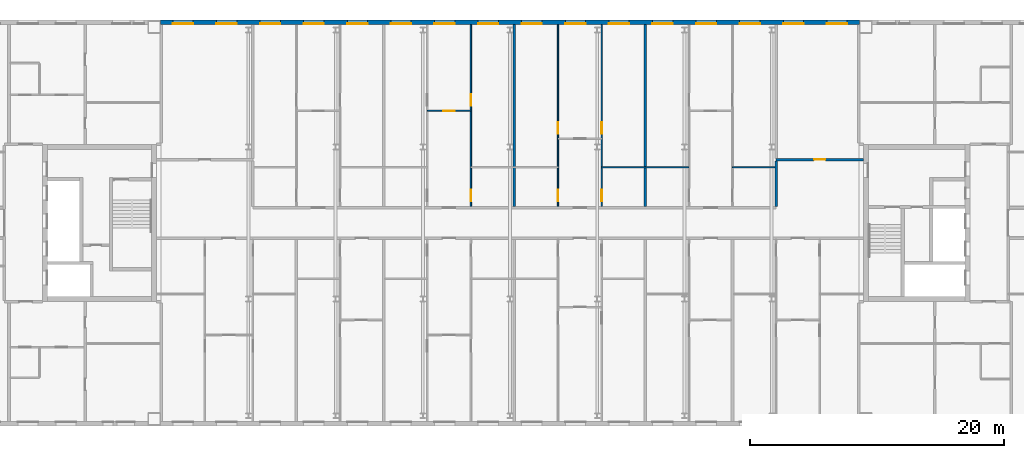
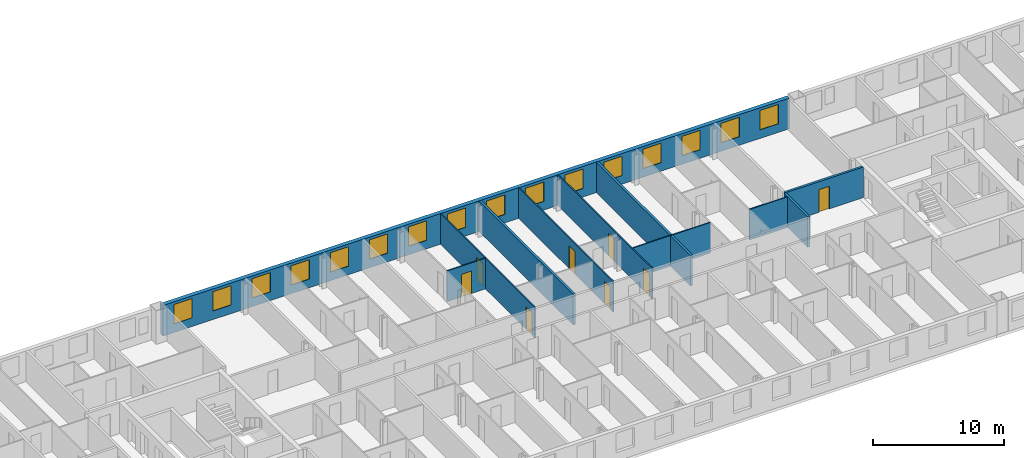
# One storey, part 12 of 19: 16 windows, 11 walls, 8 doors, 24 openings.
"""IFC4 building model written with IfcOpenShell, lengths in metres."""

from ifc_helpers import new_model, si_unit, direction, frame, frame_2d, origin, place, context, subcontext, project, spatial, rectangle, extrude, material, layer, layer_set, type_object, element, fill, save


model = new_model("IFC4")

# Units and contexts
model_context = context("Model", 3, precision=1e-05, world=origin(), true_north=direction((0.0, 1.0)))
body_context = subcontext(model_context, "Body", "Model", "MODEL_VIEW")
ifc_project = project(units=[si_unit("LENGTHUNIT", "METRE"), si_unit("AREAUNIT", "SQUARE_METRE"), si_unit("VOLUMEUNIT", "CUBIC_METRE"), si_unit("PLANEANGLEUNIT", "RADIAN"), si_unit("MASSUNIT", "GRAM", prefix="KILO")], contexts=[model_context])

# Site, building, storey
site_placement = place(None, origin())
site = spatial("IfcSite", under=ifc_project, at=site_placement, CompositionType="ELEMENT")
building_placement = place(site_placement, origin())
building = spatial("IfcBuilding", under=site, at=building_placement, Name="Tuart Gate Housing", CompositionType="ELEMENT")
storey_placement = place(building_placement, frame((0.0, 0.0, 209.0)))
storey = spatial("IfcBuildingStorey", under=building, at=storey_placement, Name="L59", CompositionType="ELEMENT", Elevation=209.0)

# Wall, openings, windows
ifc_material_1 = material(Name="Brick", Category="masonry")
ifc_layer_1 = layer(ifc_material_1, 0.360107421875)
ifc_layer_set_1 = layer_set([ifc_layer_1], Name="Brick pier and spandrel wall 360")
wall_type_1 = type_object("IfcWallType", Name="Brick pier and spandrel wall 360", PredefinedType="STANDARD", material=ifc_layer_set_1)
wall_1_placement = place(storey_placement, frame((131.050048828125, 85.820068359375, 0.0), z_axis=(0.0, 0.0, 1.0), x_axis=(-1.0, 0.0, 0.0)))
wall_1 = element("IfcWall", 1, at=wall_1_placement, inside=storey, type_object=wall_type_1, Name="External wall BLK-N L59", PredefinedType="STANDARD", context=body_context, shape_type="SweptSolid", body=[
    extrude(rectangle(XDim=55.10009765625, YDim=0.360107421875, at=frame_2d((27.550048828125, 0.0))), origin(), (0.0, 0.0, 1.0), 2.85009765625),
])
opening_1_placement = place(wall_1_placement, frame((0.96875, 0.0, 0.800048828125)))
opening_1 = element("IfcOpeningElement", 2, at=opening_1_placement, cuts=wall_1, Name="Opening W1", PredefinedType="OPENING", context=body_context, shape_type="SweptSolid", body=[
    extrude(rectangle(XDim=1.60009765625, YDim=1.800048828125, at=frame_2d((0.800048828125, 0.89990234375))), frame((0.0, 0.18994140625, 0.0), z_axis=(0.0, -1.0, 0.0), x_axis=(1.0, 0.0, 0.0)), (0.0, 0.0, 1.0), 0.380126953125),
])
opening_2_placement = place(wall_1_placement, frame((4.40625, 0.0, 0.800048828125)))
opening_2 = element("IfcOpeningElement", 3, at=opening_2_placement, cuts=wall_1, Name="Opening W1", PredefinedType="OPENING", context=body_context, shape_type="SweptSolid", body=[
    extrude(rectangle(XDim=1.60009765625, YDim=1.800048828125, at=frame_2d((0.800048828125, 0.89990234375))), frame((0.0, 0.18994140625, 0.0), z_axis=(0.0, -1.0, 0.0), x_axis=(1.0, 0.0, 0.0)), (0.0, 0.0, 1.0), 0.380126953125),
])
opening_3_placement = place(wall_1_placement, frame((7.84375, 0.0, 0.800048828125)))
opening_3 = element("IfcOpeningElement", 4, at=opening_3_placement, cuts=wall_1, Name="Opening W1", PredefinedType="OPENING", context=body_context, shape_type="SweptSolid", body=[
    extrude(rectangle(XDim=1.60009765625, YDim=1.800048828125, at=frame_2d((0.800048828125, 0.89990234375))), frame((0.0, 0.18994140625, 0.0), z_axis=(0.0, -1.0, 0.0), x_axis=(1.0, 0.0, 0.0)), (0.0, 0.0, 1.0), 0.380126953125),
])
opening_4_placement = place(wall_1_placement, frame((11.28125, 0.0, 0.800048828125)))
opening_4 = element("IfcOpeningElement", 5, at=opening_4_placement, cuts=wall_1, Name="Opening W1", PredefinedType="OPENING", context=body_context, shape_type="SweptSolid", body=[
    extrude(rectangle(XDim=1.60009765625, YDim=1.800048828125, at=frame_2d((0.800048828125, 0.89990234375))), frame((0.0, 0.18994140625, 0.0), z_axis=(0.0, -1.0, 0.0), x_axis=(1.0, 0.0, 0.0)), (0.0, 0.0, 1.0), 0.380126953125),
])
opening_5_placement = place(wall_1_placement, frame((14.71875, 0.0, 0.800048828125)))
opening_5 = element("IfcOpeningElement", 6, at=opening_5_placement, cuts=wall_1, Name="Opening W1", PredefinedType="OPENING", context=body_context, shape_type="SweptSolid", body=[
    extrude(rectangle(XDim=1.60009765625, YDim=1.800048828125, at=frame_2d((0.800048828125, 0.89990234375))), frame((0.0, 0.18994140625, 0.0), z_axis=(0.0, -1.0, 0.0), x_axis=(1.0, 0.0, 0.0)), (0.0, 0.0, 1.0), 0.380126953125),
])
opening_6_placement = place(wall_1_placement, frame((18.15625, 0.0, 0.800048828125)))
opening_6 = element("IfcOpeningElement", 7, at=opening_6_placement, cuts=wall_1, Name="Opening W1", PredefinedType="OPENING", context=body_context, shape_type="SweptSolid", body=[
    extrude(rectangle(XDim=1.60009765625, YDim=1.800048828125, at=frame_2d((0.800048828125, 0.89990234375))), frame((0.0, 0.18994140625, 0.0), z_axis=(0.0, -1.0, 0.0), x_axis=(1.0, 0.0, 0.0)), (0.0, 0.0, 1.0), 0.380126953125),
])
opening_7_placement = place(wall_1_placement, frame((21.59375, 0.0, 0.800048828125)))
opening_7 = element("IfcOpeningElement", 8, at=opening_7_placement, cuts=wall_1, Name="Opening W1", PredefinedType="OPENING", context=body_context, shape_type="SweptSolid", body=[
    extrude(rectangle(XDim=1.60009765625, YDim=1.800048828125, at=frame_2d((0.800048828125, 0.89990234375))), frame((0.0, 0.18994140625, 0.0), z_axis=(0.0, -1.0, 0.0), x_axis=(1.0, 0.0, 0.0)), (0.0, 0.0, 1.0), 0.380126953125),
])
opening_8_placement = place(wall_1_placement, frame((25.03125, 0.0, 0.800048828125)))
opening_8 = element("IfcOpeningElement", 9, at=opening_8_placement, cuts=wall_1, Name="Opening W1", PredefinedType="OPENING", context=body_context, shape_type="SweptSolid", body=[
    extrude(rectangle(XDim=1.60009765625, YDim=1.800048828125, at=frame_2d((0.800048828125, 0.89990234375))), frame((0.0, 0.18994140625, 0.0), z_axis=(0.0, -1.0, 0.0), x_axis=(1.0, 0.0, 0.0)), (0.0, 0.0, 1.0), 0.380126953125),
])
opening_9_placement = place(wall_1_placement, frame((28.46875, 0.0, 0.800048828125)))
opening_9 = element("IfcOpeningElement", 10, at=opening_9_placement, cuts=wall_1, Name="Opening W1", PredefinedType="OPENING", context=body_context, shape_type="SweptSolid", body=[
    extrude(rectangle(XDim=1.60009765625, YDim=1.800048828125, at=frame_2d((0.800048828125, 0.89990234375))), frame((0.0, 0.18994140625, 0.0), z_axis=(0.0, -1.0, 0.0), x_axis=(1.0, 0.0, 0.0)), (0.0, 0.0, 1.0), 0.380126953125),
])
opening_10_placement = place(wall_1_placement, frame((31.90625, 0.0, 0.800048828125)))
opening_10 = element("IfcOpeningElement", 11, at=opening_10_placement, cuts=wall_1, Name="Opening W1", PredefinedType="OPENING", context=body_context, shape_type="SweptSolid", body=[
    extrude(rectangle(XDim=1.60009765625, YDim=1.800048828125, at=frame_2d((0.800048828125, 0.89990234375))), frame((0.0, 0.18994140625, 0.0), z_axis=(0.0, -1.0, 0.0), x_axis=(1.0, 0.0, 0.0)), (0.0, 0.0, 1.0), 0.380126953125),
])
opening_11_placement = place(wall_1_placement, frame((35.34375, 0.0, 0.800048828125)))
opening_11 = element("IfcOpeningElement", 12, at=opening_11_placement, cuts=wall_1, Name="Opening W1", PredefinedType="OPENING", context=body_context, shape_type="SweptSolid", body=[
    extrude(rectangle(XDim=1.60009765625, YDim=1.800048828125, at=frame_2d((0.800048828125, 0.89990234375))), frame((0.0, 0.18994140625, 0.0), z_axis=(0.0, -1.0, 0.0), x_axis=(1.0, 0.0, 0.0)), (0.0, 0.0, 1.0), 0.380126953125),
])
opening_12_placement = place(wall_1_placement, frame((38.78125, 0.0, 0.800048828125)))
opening_12 = element("IfcOpeningElement", 13, at=opening_12_placement, cuts=wall_1, Name="Opening W1", PredefinedType="OPENING", context=body_context, shape_type="SweptSolid", body=[
    extrude(rectangle(XDim=1.60009765625, YDim=1.800048828125, at=frame_2d((0.800048828125, 0.89990234375))), frame((0.0, 0.18994140625, 0.0), z_axis=(0.0, -1.0, 0.0), x_axis=(1.0, 0.0, 0.0)), (0.0, 0.0, 1.0), 0.380126953125),
])
opening_13_placement = place(wall_1_placement, frame((42.21875, 0.0, 0.800048828125)))
opening_13 = element("IfcOpeningElement", 14, at=opening_13_placement, cuts=wall_1, Name="Opening W1", PredefinedType="OPENING", context=body_context, shape_type="SweptSolid", body=[
    extrude(rectangle(XDim=1.60009765625, YDim=1.800048828125, at=frame_2d((0.800048828125, 0.89990234375))), frame((0.0, 0.18994140625, 0.0), z_axis=(0.0, -1.0, 0.0), x_axis=(1.0, 0.0, 0.0)), (0.0, 0.0, 1.0), 0.380126953125),
])
opening_14_placement = place(wall_1_placement, frame((45.65625, 0.0, 0.800048828125)))
opening_14 = element("IfcOpeningElement", 15, at=opening_14_placement, cuts=wall_1, Name="Opening W1", PredefinedType="OPENING", context=body_context, shape_type="SweptSolid", body=[
    extrude(rectangle(XDim=1.60009765625, YDim=1.800048828125, at=frame_2d((0.800048828125, 0.89990234375))), frame((0.0, 0.18994140625, 0.0), z_axis=(0.0, -1.0, 0.0), x_axis=(1.0, 0.0, 0.0)), (0.0, 0.0, 1.0), 0.380126953125),
])
opening_15_placement = place(wall_1_placement, frame((49.09375, 0.0, 0.800048828125)))
opening_15 = element("IfcOpeningElement", 16, at=opening_15_placement, cuts=wall_1, Name="Opening W1", PredefinedType="OPENING", context=body_context, shape_type="SweptSolid", body=[
    extrude(rectangle(XDim=1.60009765625, YDim=1.800048828125, at=frame_2d((0.800048828125, 0.89990234375))), frame((0.0, 0.18994140625, 0.0), z_axis=(0.0, -1.0, 0.0), x_axis=(1.0, 0.0, 0.0)), (0.0, 0.0, 1.0), 0.380126953125),
])
opening_16_placement = place(wall_1_placement, frame((52.53125, 0.0, 0.800048828125)))
opening_16 = element("IfcOpeningElement", 17, at=opening_16_placement, cuts=wall_1, Name="Opening W1", PredefinedType="OPENING", context=body_context, shape_type="SweptSolid", body=[
    extrude(rectangle(XDim=1.60009765625, YDim=1.800048828125, at=frame_2d((0.800048828125, 0.89990234375))), frame((0.0, 0.18994140625, 0.0), z_axis=(0.0, -1.0, 0.0), x_axis=(1.0, 0.0, 0.0)), (0.0, 0.0, 1.0), 0.380126953125),
])
ifc_material_2 = material(Name="Aluminium frame with clear glass", Category="aluminium")
window_type = type_object("IfcWindowType", Name="Punched window 1600 x 1800", PartitioningType="SINGLE_PANEL", PredefinedType="WINDOW", material=ifc_material_2)
window_1_placement = place(opening_1_placement, origin())
window_1 = element("IfcWindow", 18, at=window_1_placement, inside=storey, type_object=window_type, Name="Window W1", OverallHeight=1.800048828125, OverallWidth=1.60009765625, PartitioningType="SINGLE_PANEL", PredefinedType="WINDOW", context=body_context, shape_type="SweptSolid", body=[
    extrude(rectangle(XDim=1.60009765625, YDim=1.800048828125, at=frame_2d((0.800048828125, 0.89990234375))), frame((0.0, 0.150146484375, 0.0), z_axis=(0.0, -1.0, 0.0), x_axis=(1.0, 0.0, 0.0)), (0.0, 0.0, 1.0), 0.06005859375),
])
fill(opening_1, window_1)
window_2_placement = place(opening_2_placement, origin())
window_2 = element("IfcWindow", 19, at=window_2_placement, inside=storey, type_object=window_type, Name="Window W1", OverallHeight=1.800048828125, OverallWidth=1.60009765625, PartitioningType="SINGLE_PANEL", PredefinedType="WINDOW", context=body_context, shape_type="SweptSolid", body=[
    extrude(rectangle(XDim=1.60009765625, YDim=1.800048828125, at=frame_2d((0.800048828125, 0.89990234375))), frame((0.0, 0.150146484375, 0.0), z_axis=(0.0, -1.0, 0.0), x_axis=(1.0, 0.0, 0.0)), (0.0, 0.0, 1.0), 0.06005859375),
])
fill(opening_2, window_2)
window_3_placement = place(opening_3_placement, origin())
window_3 = element("IfcWindow", 20, at=window_3_placement, inside=storey, type_object=window_type, Name="Window W1", OverallHeight=1.800048828125, OverallWidth=1.60009765625, PartitioningType="SINGLE_PANEL", PredefinedType="WINDOW", context=body_context, shape_type="SweptSolid", body=[
    extrude(rectangle(XDim=1.60009765625, YDim=1.800048828125, at=frame_2d((0.800048828125, 0.89990234375))), frame((0.0, 0.150146484375, 0.0), z_axis=(0.0, -1.0, 0.0), x_axis=(1.0, 0.0, 0.0)), (0.0, 0.0, 1.0), 0.06005859375),
])
fill(opening_3, window_3)
window_4_placement = place(opening_4_placement, origin())
window_4 = element("IfcWindow", 21, at=window_4_placement, inside=storey, type_object=window_type, Name="Window W1", OverallHeight=1.800048828125, OverallWidth=1.60009765625, PartitioningType="SINGLE_PANEL", PredefinedType="WINDOW", context=body_context, shape_type="SweptSolid", body=[
    extrude(rectangle(XDim=1.60009765625, YDim=1.800048828125, at=frame_2d((0.800048828125, 0.89990234375))), frame((0.0, 0.150146484375, 0.0), z_axis=(0.0, -1.0, 0.0), x_axis=(1.0, 0.0, 0.0)), (0.0, 0.0, 1.0), 0.06005859375),
])
fill(opening_4, window_4)
window_5_placement = place(opening_5_placement, origin())
window_5 = element("IfcWindow", 22, at=window_5_placement, inside=storey, type_object=window_type, Name="Window W1", OverallHeight=1.800048828125, OverallWidth=1.60009765625, PartitioningType="SINGLE_PANEL", PredefinedType="WINDOW", context=body_context, shape_type="SweptSolid", body=[
    extrude(rectangle(XDim=1.60009765625, YDim=1.800048828125, at=frame_2d((0.800048828125, 0.89990234375))), frame((0.0, 0.150146484375, 0.0), z_axis=(0.0, -1.0, 0.0), x_axis=(1.0, 0.0, 0.0)), (0.0, 0.0, 1.0), 0.06005859375),
])
fill(opening_5, window_5)
window_6_placement = place(opening_6_placement, origin())
window_6 = element("IfcWindow", 23, at=window_6_placement, inside=storey, type_object=window_type, Name="Window W1", OverallHeight=1.800048828125, OverallWidth=1.60009765625, PartitioningType="SINGLE_PANEL", PredefinedType="WINDOW", context=body_context, shape_type="SweptSolid", body=[
    extrude(rectangle(XDim=1.60009765625, YDim=1.800048828125, at=frame_2d((0.800048828125, 0.89990234375))), frame((0.0, 0.150146484375, 0.0), z_axis=(0.0, -1.0, 0.0), x_axis=(1.0, 0.0, 0.0)), (0.0, 0.0, 1.0), 0.06005859375),
])
fill(opening_6, window_6)
window_7_placement = place(opening_7_placement, origin())
window_7 = element("IfcWindow", 24, at=window_7_placement, inside=storey, type_object=window_type, Name="Window W1", OverallHeight=1.800048828125, OverallWidth=1.60009765625, PartitioningType="SINGLE_PANEL", PredefinedType="WINDOW", context=body_context, shape_type="SweptSolid", body=[
    extrude(rectangle(XDim=1.60009765625, YDim=1.800048828125, at=frame_2d((0.800048828125, 0.89990234375))), frame((0.0, 0.150146484375, 0.0), z_axis=(0.0, -1.0, 0.0), x_axis=(1.0, 0.0, 0.0)), (0.0, 0.0, 1.0), 0.06005859375),
])
fill(opening_7, window_7)
window_8_placement = place(opening_8_placement, origin())
window_8 = element("IfcWindow", 25, at=window_8_placement, inside=storey, type_object=window_type, Name="Window W1", OverallHeight=1.800048828125, OverallWidth=1.60009765625, PartitioningType="SINGLE_PANEL", PredefinedType="WINDOW", context=body_context, shape_type="SweptSolid", body=[
    extrude(rectangle(XDim=1.60009765625, YDim=1.800048828125, at=frame_2d((0.800048828125, 0.89990234375))), frame((0.0, 0.150146484375, 0.0), z_axis=(0.0, -1.0, 0.0), x_axis=(1.0, 0.0, 0.0)), (0.0, 0.0, 1.0), 0.06005859375),
])
fill(opening_8, window_8)
window_9_placement = place(opening_9_placement, origin())
window_9 = element("IfcWindow", 26, at=window_9_placement, inside=storey, type_object=window_type, Name="Window W1", OverallHeight=1.800048828125, OverallWidth=1.60009765625, PartitioningType="SINGLE_PANEL", PredefinedType="WINDOW", context=body_context, shape_type="SweptSolid", body=[
    extrude(rectangle(XDim=1.60009765625, YDim=1.800048828125, at=frame_2d((0.800048828125, 0.89990234375))), frame((0.0, 0.150146484375, 0.0), z_axis=(0.0, -1.0, 0.0), x_axis=(1.0, 0.0, 0.0)), (0.0, 0.0, 1.0), 0.06005859375),
])
fill(opening_9, window_9)
window_10_placement = place(opening_10_placement, origin())
window_10 = element("IfcWindow", 27, at=window_10_placement, inside=storey, type_object=window_type, Name="Window W1", OverallHeight=1.800048828125, OverallWidth=1.60009765625, PartitioningType="SINGLE_PANEL", PredefinedType="WINDOW", context=body_context, shape_type="SweptSolid", body=[
    extrude(rectangle(XDim=1.60009765625, YDim=1.800048828125, at=frame_2d((0.800048828125, 0.89990234375))), frame((0.0, 0.150146484375, 0.0), z_axis=(0.0, -1.0, 0.0), x_axis=(1.0, 0.0, 0.0)), (0.0, 0.0, 1.0), 0.06005859375),
])
fill(opening_10, window_10)
window_11_placement = place(opening_11_placement, origin())
window_11 = element("IfcWindow", 28, at=window_11_placement, inside=storey, type_object=window_type, Name="Window W1", OverallHeight=1.800048828125, OverallWidth=1.60009765625, PartitioningType="SINGLE_PANEL", PredefinedType="WINDOW", context=body_context, shape_type="SweptSolid", body=[
    extrude(rectangle(XDim=1.60009765625, YDim=1.800048828125, at=frame_2d((0.800048828125, 0.89990234375))), frame((0.0, 0.150146484375, 0.0), z_axis=(0.0, -1.0, 0.0), x_axis=(1.0, 0.0, 0.0)), (0.0, 0.0, 1.0), 0.06005859375),
])
fill(opening_11, window_11)
window_12_placement = place(opening_12_placement, origin())
window_12 = element("IfcWindow", 29, at=window_12_placement, inside=storey, type_object=window_type, Name="Window W1", OverallHeight=1.800048828125, OverallWidth=1.60009765625, PartitioningType="SINGLE_PANEL", PredefinedType="WINDOW", context=body_context, shape_type="SweptSolid", body=[
    extrude(rectangle(XDim=1.60009765625, YDim=1.800048828125, at=frame_2d((0.800048828125, 0.89990234375))), frame((0.0, 0.150146484375, 0.0), z_axis=(0.0, -1.0, 0.0), x_axis=(1.0, 0.0, 0.0)), (0.0, 0.0, 1.0), 0.06005859375),
])
fill(opening_12, window_12)
window_13_placement = place(opening_13_placement, origin())
window_13 = element("IfcWindow", 30, at=window_13_placement, inside=storey, type_object=window_type, Name="Window W1", OverallHeight=1.800048828125, OverallWidth=1.60009765625, PartitioningType="SINGLE_PANEL", PredefinedType="WINDOW", context=body_context, shape_type="SweptSolid", body=[
    extrude(rectangle(XDim=1.60009765625, YDim=1.800048828125, at=frame_2d((0.800048828125, 0.89990234375))), frame((0.0, 0.150146484375, 0.0), z_axis=(0.0, -1.0, 0.0), x_axis=(1.0, 0.0, 0.0)), (0.0, 0.0, 1.0), 0.06005859375),
])
fill(opening_13, window_13)
window_14_placement = place(opening_14_placement, origin())
window_14 = element("IfcWindow", 31, at=window_14_placement, inside=storey, type_object=window_type, Name="Window W1", OverallHeight=1.800048828125, OverallWidth=1.60009765625, PartitioningType="SINGLE_PANEL", PredefinedType="WINDOW", context=body_context, shape_type="SweptSolid", body=[
    extrude(rectangle(XDim=1.60009765625, YDim=1.800048828125, at=frame_2d((0.800048828125, 0.89990234375))), frame((0.0, 0.150146484375, 0.0), z_axis=(0.0, -1.0, 0.0), x_axis=(1.0, 0.0, 0.0)), (0.0, 0.0, 1.0), 0.06005859375),
])
fill(opening_14, window_14)
window_15_placement = place(opening_15_placement, origin())
window_15 = element("IfcWindow", 32, at=window_15_placement, inside=storey, type_object=window_type, Name="Window W1", OverallHeight=1.800048828125, OverallWidth=1.60009765625, PartitioningType="SINGLE_PANEL", PredefinedType="WINDOW", context=body_context, shape_type="SweptSolid", body=[
    extrude(rectangle(XDim=1.60009765625, YDim=1.800048828125, at=frame_2d((0.800048828125, 0.89990234375))), frame((0.0, 0.150146484375, 0.0), z_axis=(0.0, -1.0, 0.0), x_axis=(1.0, 0.0, 0.0)), (0.0, 0.0, 1.0), 0.06005859375),
])
fill(opening_15, window_15)
window_16_placement = place(opening_16_placement, origin())
window_16 = element("IfcWindow", 33, at=window_16_placement, inside=storey, type_object=window_type, Name="Window W1", OverallHeight=1.800048828125, OverallWidth=1.60009765625, PartitioningType="SINGLE_PANEL", PredefinedType="WINDOW", context=body_context, shape_type="SweptSolid", body=[
    extrude(rectangle(XDim=1.60009765625, YDim=1.800048828125, at=frame_2d((0.800048828125, 0.89990234375))), frame((0.0, 0.150146484375, 0.0), z_axis=(0.0, -1.0, 0.0), x_axis=(1.0, 0.0, 0.0)), (0.0, 0.0, 1.0), 0.06005859375),
])
fill(opening_16, window_16)

# Wall, opening, door
ifc_material_3 = material(Name="Concrete masonry 15 MPa", Category="masonry")
ifc_layer_2 = layer(ifc_material_3, 0.199951171875)
ifc_layer_set_2 = layer_set([ifc_layer_2], Name="Corridor wall masonry 200")
wall_type_2 = type_object("IfcWallType", Name="Corridor wall masonry 200", PredefinedType="PARTITIONING", material=ifc_layer_set_2)
wall_2_placement = place(storey_placement, frame((124.47509765625, 75.0, 0.0), z_axis=(0.0, 0.0, 1.0), x_axis=(1.0, 0.0, 0.0)))
wall_2 = element("IfcWall", 34, at=wall_2_placement, inside=storey, type_object=wall_type_2, Name="Corridor wall masonry 200", PredefinedType="PARTITIONING", context=body_context, shape_type="SweptSolid", body=[
    extrude(rectangle(XDim=6.885009765625, YDim=0.199951171875, at=frame_2d((3.4423828125, 0.0))), origin(), (0.0, 0.0, 1.0), 2.85009765625),
])
opening_17_placement = place(wall_2_placement, frame((2.992431640625, 0.0, 0.0)))
opening_17 = element("IfcOpeningElement", 35, at=opening_17_placement, cuts=wall_2, Name="Opening D2187", PredefinedType="OPENING", context=body_context, shape_type="SweptSolid", body=[
    extrude(rectangle(XDim=0.89990234375, YDim=2.10009765625, at=frame_2d((0.449951171875, 1.050048828125))), frame((0.0, 0.10986328125, 0.0), z_axis=(0.0, -1.0, 0.0), x_axis=(1.0, 0.0, 0.0)), (0.0, 0.0, 1.0), 0.219970703125),
])
ifc_material_4 = material(Name="Timber door leaf in steel frame", Category="steel")
door_type_1 = type_object("IfcDoorType", Name="Internal door 900", OperationType="SINGLE_SWING_LEFT", PredefinedType="DOOR", material=ifc_material_4)
door_1_placement = place(opening_17_placement, origin())
door_1 = element("IfcDoor", 36, at=door_1_placement, inside=storey, type_object=door_type_1, Name="Internal door", OperationType="SINGLE_SWING_LEFT", OverallHeight=2.10009765625, OverallWidth=0.89990234375, PredefinedType="DOOR", context=body_context, shape_type="SweptSolid", body=[
    extrude(rectangle(XDim=0.89990234375, YDim=2.10009765625, at=frame_2d((0.449951171875, 1.050048828125))), frame((0.0, 0.02490234375, 0.0), z_axis=(0.0, -1.0, 0.0), x_axis=(1.0, 0.0, 0.0)), (0.0, 0.0, 1.0), 0.050048828125),
])
fill(opening_17, door_1)

# Walls
wall_3_placement = place(storey_placement, frame((124.47509765625, 71.300048828125, 0.0), z_axis=(0.0, 0.0, 1.0), x_axis=(0.0, 1.0, 0.0)))
element("IfcWall", 37, at=wall_3_placement, inside=storey, type_object=wall_type_2, Name="Corridor wall masonry 200", PredefinedType="PARTITIONING", context=body_context, shape_type="SweptSolid", body=[
    extrude(rectangle(XDim=3.599853515625, YDim=0.199951171875, at=frame_2d((1.7998046875, 0.0))), origin(), (0.0, 0.0, 1.0), 2.85009765625),
])
ifc_material_5 = material(Name="Gypsum board on steel studs", Category="steel")
ifc_layer_3 = layer(ifc_material_5, 0.10009765625)
ifc_layer_set_3 = layer_set([ifc_layer_3], Name="Partition 100")
wall_type_3 = type_object("IfcWallType", Name="Partition 100", PredefinedType="PARTITIONING", material=ifc_layer_set_3)
wall_4_placement = place(storey_placement, frame((110.72509765625, 74.39990234375, 0.0), z_axis=(0.0, 0.0, 1.0), x_axis=(1.0, 0.0, 0.0)))
element("IfcWall", 38, at=wall_4_placement, inside=storey, type_object=wall_type_3, Name="Partition 100", PredefinedType="PARTITIONING", context=body_context, shape_type="SweptSolid", body=[
    extrude(rectangle(XDim=6.875, YDim=0.10009765625, at=frame_2d((3.4375, 0.0))), origin(), (0.0, 0.0, 1.0), 2.85009765625),
])
wall_5_placement = place(storey_placement, frame((121.037109375, 74.39990234375, 0.0), z_axis=(0.0, 0.0, 1.0), x_axis=(1.0, 0.0, 0.0)))
element("IfcWall", 39, at=wall_5_placement, inside=storey, type_object=wall_type_3, Name="Partition 100", PredefinedType="PARTITIONING", context=body_context, shape_type="SweptSolid", body=[
    extrude(rectangle(XDim=3.337890625, YDim=0.10009765625, at=frame_2d((1.6689453125, 0.0))), origin(), (0.0, 0.0, 1.0), 2.85009765625),
])

# Wall, opening, door
wall_6_placement = place(storey_placement, frame((96.97509765625, 78.840087890625, 0.0), z_axis=(0.0, 0.0, 1.0), x_axis=(1.0, 0.0, 0.0)))
wall_6 = element("IfcWall", 40, at=wall_6_placement, inside=storey, type_object=wall_type_3, Name="Partition 100", PredefinedType="PARTITIONING", context=body_context, shape_type="SweptSolid", body=[
    extrude(rectangle(XDim=3.43701171875, YDim=0.10009765625, at=frame_2d((1.718505859375, 0.0))), origin(), (0.0, 0.0, 1.0), 2.85009765625),
])
opening_18_placement = place(wall_6_placement, frame((1.2685546875, 0.0, 0.0)))
opening_18 = element("IfcOpeningElement", 41, at=opening_18_placement, cuts=wall_6, Name="Opening D2167", PredefinedType="OPENING", context=body_context, shape_type="SweptSolid", body=[
    extrude(rectangle(XDim=0.89990234375, YDim=2.10009765625, at=frame_2d((0.449951171875, 1.050048828125))), frame((0.0, 0.06005859375, 0.0), z_axis=(0.0, -1.0, 0.0), x_axis=(1.0, 0.0, 0.0)), (0.0, 0.0, 1.0), 0.1201171875),
])
ifc_material_6 = material(Name="Timber door leaf in steel frame", Category="steel")
door_type_2 = type_object("IfcDoorType", Name="Internal door 900 RH", OperationType="SINGLE_SWING_RIGHT", PredefinedType="DOOR", material=ifc_material_6)
door_2_placement = place(opening_18_placement, frame((0.89990234375, 0.0, 0.0), z_axis=(0.0, 0.0, 1.0), x_axis=(-1.0, 0.0, 0.0)))
door_2 = element("IfcDoor", 42, at=door_2_placement, inside=storey, type_object=door_type_2, Name="Internal door", OperationType="SINGLE_SWING_RIGHT", OverallHeight=2.10009765625, OverallWidth=0.89990234375, PredefinedType="DOOR", context=body_context, shape_type="SweptSolid", body=[
    extrude(rectangle(XDim=0.89990234375, YDim=2.10009765625, at=frame_2d((0.449951171875, 1.050048828125))), frame((0.0, 0.025146484375, 0.0), z_axis=(0.0, -1.0, 0.0), x_axis=(1.0, 0.0, 0.0)), (0.0, 0.0, 1.0), 0.050048828125),
])
fill(opening_18, door_2)

# Wall, openings, doors
wall_7_placement = place(storey_placement, frame((100.412109375, 71.300048828125, 0.0), z_axis=(0.0, 0.0, 1.0), x_axis=(0.0, 1.0, 0.0)))
wall_7 = element("IfcWall", 43, at=wall_7_placement, inside=storey, type_object=wall_type_3, Name="Partition 100", PredefinedType="PARTITIONING", context=body_context, shape_type="SweptSolid", body=[
    extrude(rectangle(XDim=14.33984375, YDim=0.10009765625, at=frame_2d((7.169921875, 0.0))), origin(), (0.0, 0.0, 1.0), 2.85009765625),
])
opening_19_placement = place(wall_7_placement, frame((7.93994140625, 0.0, 0.0)))
opening_19 = element("IfcOpeningElement", 44, at=opening_19_placement, cuts=wall_7, Name="Opening D2176", PredefinedType="OPENING", context=body_context, shape_type="SweptSolid", body=[
    extrude(rectangle(XDim=0.89990234375, YDim=2.10009765625, at=frame_2d((0.449951171875, 1.050048828125))), frame((0.0, 0.06005859375, 0.0), z_axis=(0.0, -1.0, 0.0), x_axis=(1.0, 0.0, 0.0)), (0.0, 0.0, 1.0), 0.1201171875),
])
opening_20_placement = place(wall_7_placement, frame((0.39990234375, 0.0, 0.0)))
opening_20 = element("IfcOpeningElement", 45, at=opening_20_placement, cuts=wall_7, Name="Opening D2175", PredefinedType="OPENING", context=body_context, shape_type="SweptSolid", body=[
    extrude(rectangle(XDim=0.89990234375, YDim=2.10009765625, at=frame_2d((0.449951171875, 1.050048828125))), frame((0.0, 0.06005859375, 0.0), z_axis=(0.0, -1.0, 0.0), x_axis=(1.0, 0.0, 0.0)), (0.0, 0.0, 1.0), 0.1201171875),
])
ifc_material_7 = material(Name="Timber door leaf in steel frame", Category="steel")
door_type_3 = type_object("IfcDoorType", Name="Bathroom door 900 RH", OperationType="SINGLE_SWING_RIGHT", PredefinedType="DOOR", material=ifc_material_7)
door_3_placement = place(opening_20_placement, frame((0.89990234375, 0.0, 0.0), z_axis=(0.0, 0.0, 1.0), x_axis=(-1.0, 0.0, 0.0)))
door_3 = element("IfcDoor", 46, at=door_3_placement, inside=storey, type_object=door_type_3, Name="Bathroom door", OperationType="SINGLE_SWING_RIGHT", OverallHeight=2.10009765625, OverallWidth=0.89990234375, PredefinedType="DOOR", context=body_context, shape_type="SweptSolid", body=[
    extrude(rectangle(XDim=0.89990234375, YDim=2.10009765625, at=frame_2d((0.449951171875, 1.050048828125))), frame((0.0, 0.025146484375, 0.0), z_axis=(0.0, -1.0, 0.0), x_axis=(1.0, 0.0, 0.0)), (0.0, 0.0, 1.0), 0.050048828125),
])
fill(opening_20, door_3)
door_4_placement = place(opening_19_placement, frame((0.89990234375, 0.0, 0.0), z_axis=(0.0, 0.0, 1.0), x_axis=(-1.0, 0.0, 0.0)))
door_4 = element("IfcDoor", 47, at=door_4_placement, inside=storey, type_object=door_type_2, Name="Internal door", OperationType="SINGLE_SWING_RIGHT", OverallHeight=2.10009765625, OverallWidth=0.89990234375, PredefinedType="DOOR", context=body_context, shape_type="SweptSolid", body=[
    extrude(rectangle(XDim=0.89990234375, YDim=2.10009765625, at=frame_2d((0.449951171875, 1.050048828125))), frame((0.0, 0.025146484375, 0.0), z_axis=(0.0, -1.0, 0.0), x_axis=(1.0, 0.0, 0.0)), (0.0, 0.0, 1.0), 0.050048828125),
])
fill(opening_19, door_4)

wall_8_placement = place(storey_placement, frame((107.287109375, 71.300048828125, 0.0), z_axis=(0.0, 0.0, 1.0), x_axis=(0.0, 1.0, 0.0)))
wall_8 = element("IfcWall", 48, at=wall_8_placement, inside=storey, type_object=wall_type_3, Name="Partition 100", PredefinedType="PARTITIONING", context=body_context, shape_type="SweptSolid", body=[
    extrude(rectangle(XDim=14.33984375, YDim=0.10009765625, at=frame_2d((7.169921875, 0.0))), origin(), (0.0, 0.0, 1.0), 2.85009765625),
])
opening_21_placement = place(wall_8_placement, frame((5.739990234375, 0.0, 0.0)))
opening_21 = element("IfcOpeningElement", 49, at=opening_21_placement, cuts=wall_8, Name="Opening D2178", PredefinedType="OPENING", context=body_context, shape_type="SweptSolid", body=[
    extrude(rectangle(XDim=0.89990234375, YDim=2.10009765625, at=frame_2d((0.449951171875, 1.050048828125))), frame((0.0, 0.06005859375, 0.0), z_axis=(0.0, -1.0, 0.0), x_axis=(1.0, 0.0, 0.0)), (0.0, 0.0, 1.0), 0.1201171875),
])
opening_22_placement = place(wall_8_placement, frame((0.39990234375, 0.0, 0.0)))
opening_22 = element("IfcOpeningElement", 50, at=opening_22_placement, cuts=wall_8, Name="Opening D2177", PredefinedType="OPENING", context=body_context, shape_type="SweptSolid", body=[
    extrude(rectangle(XDim=0.89990234375, YDim=2.10009765625, at=frame_2d((0.449951171875, 1.050048828125))), frame((0.0, 0.06005859375, 0.0), z_axis=(0.0, -1.0, 0.0), x_axis=(1.0, 0.0, 0.0)), (0.0, 0.0, 1.0), 0.1201171875),
])
ifc_material_8 = material(Name="Timber door leaf in steel frame", Category="steel")
door_type_4 = type_object("IfcDoorType", Name="Bathroom door 900", OperationType="SINGLE_SWING_LEFT", PredefinedType="DOOR", material=ifc_material_8)
door_5_placement = place(opening_22_placement, origin())
door_5 = element("IfcDoor", 51, at=door_5_placement, inside=storey, type_object=door_type_4, Name="Bathroom door", OperationType="SINGLE_SWING_LEFT", OverallHeight=2.10009765625, OverallWidth=0.89990234375, PredefinedType="DOOR", context=body_context, shape_type="SweptSolid", body=[
    extrude(rectangle(XDim=0.89990234375, YDim=2.10009765625, at=frame_2d((0.449951171875, 1.050048828125))), frame((0.0, 0.02490234375, 0.0), z_axis=(0.0, -1.0, 0.0), x_axis=(1.0, 0.0, 0.0)), (0.0, 0.0, 1.0), 0.050048828125),
])
fill(opening_22, door_5)
door_6_placement = place(opening_21_placement, origin())
door_6 = element("IfcDoor", 52, at=door_6_placement, inside=storey, type_object=door_type_1, Name="Internal door", OperationType="SINGLE_SWING_LEFT", OverallHeight=2.10009765625, OverallWidth=0.89990234375, PredefinedType="DOOR", context=body_context, shape_type="SweptSolid", body=[
    extrude(rectangle(XDim=0.89990234375, YDim=2.10009765625, at=frame_2d((0.449951171875, 1.050048828125))), frame((0.0, 0.02490234375, 0.0), z_axis=(0.0, -1.0, 0.0), x_axis=(1.0, 0.0, 0.0)), (0.0, 0.0, 1.0), 0.050048828125),
])
fill(opening_21, door_6)

wall_9_placement = place(storey_placement, frame((110.72509765625, 71.300048828125, 0.0), z_axis=(0.0, 0.0, 1.0), x_axis=(0.0, 1.0, 0.0)))
wall_9 = element("IfcWall", 53, at=wall_9_placement, inside=storey, type_object=wall_type_3, Name="Partition 100", PredefinedType="PARTITIONING", context=body_context, shape_type="SweptSolid", body=[
    extrude(rectangle(XDim=14.33984375, YDim=0.10009765625, at=frame_2d((7.169921875, 0.0))), origin(), (0.0, 0.0, 1.0), 2.85009765625),
])
opening_23_placement = place(wall_9_placement, frame((5.739990234375, 0.0, 0.0)))
opening_23 = element("IfcOpeningElement", 54, at=opening_23_placement, cuts=wall_9, Name="Opening D2180", PredefinedType="OPENING", context=body_context, shape_type="SweptSolid", body=[
    extrude(rectangle(XDim=0.89990234375, YDim=2.10009765625, at=frame_2d((0.449951171875, 1.050048828125))), frame((0.0, 0.06005859375, 0.0), z_axis=(0.0, -1.0, 0.0), x_axis=(1.0, 0.0, 0.0)), (0.0, 0.0, 1.0), 0.1201171875),
])
opening_24_placement = place(wall_9_placement, frame((0.39990234375, 0.0, 0.0)))
opening_24 = element("IfcOpeningElement", 55, at=opening_24_placement, cuts=wall_9, Name="Opening D2179", PredefinedType="OPENING", context=body_context, shape_type="SweptSolid", body=[
    extrude(rectangle(XDim=0.89990234375, YDim=2.10009765625, at=frame_2d((0.449951171875, 1.050048828125))), frame((0.0, 0.06005859375, 0.0), z_axis=(0.0, -1.0, 0.0), x_axis=(1.0, 0.0, 0.0)), (0.0, 0.0, 1.0), 0.1201171875),
])
door_7_placement = place(opening_24_placement, frame((0.89990234375, 0.0, 0.0), z_axis=(0.0, 0.0, 1.0), x_axis=(-1.0, 0.0, 0.0)))
door_7 = element("IfcDoor", 56, at=door_7_placement, inside=storey, type_object=door_type_3, Name="Bathroom door", OperationType="SINGLE_SWING_RIGHT", OverallHeight=2.10009765625, OverallWidth=0.89990234375, PredefinedType="DOOR", context=body_context, shape_type="SweptSolid", body=[
    extrude(rectangle(XDim=0.89990234375, YDim=2.10009765625, at=frame_2d((0.449951171875, 1.050048828125))), frame((0.0, 0.025146484375, 0.0), z_axis=(0.0, -1.0, 0.0), x_axis=(1.0, 0.0, 0.0)), (0.0, 0.0, 1.0), 0.050048828125),
])
fill(opening_24, door_7)
door_8_placement = place(opening_23_placement, frame((0.89990234375, 0.0, 0.0), z_axis=(0.0, 0.0, 1.0), x_axis=(-1.0, 0.0, 0.0)))
door_8 = element("IfcDoor", 57, at=door_8_placement, inside=storey, type_object=door_type_2, Name="Internal door", OperationType="SINGLE_SWING_RIGHT", OverallHeight=2.10009765625, OverallWidth=0.89990234375, PredefinedType="DOOR", context=body_context, shape_type="SweptSolid", body=[
    extrude(rectangle(XDim=0.89990234375, YDim=2.10009765625, at=frame_2d((0.449951171875, 1.050048828125))), frame((0.0, 0.025146484375, 0.0), z_axis=(0.0, -1.0, 0.0), x_axis=(1.0, 0.0, 0.0)), (0.0, 0.0, 1.0), 0.050048828125),
])
fill(opening_23, door_8)

# Walls
ifc_material_9 = material(Name="Concrete masonry 15 MPa", Category="masonry")
ifc_layer_4 = layer(ifc_material_9, 0.199951171875)
ifc_layer_set_4 = layer_set([ifc_layer_4], Name="Party wall masonry 200")
wall_type_4 = type_object("IfcWallType", Name="Party wall masonry 200", PredefinedType="PARTITIONING", material=ifc_layer_set_4)
for number, where, z_axis, x_axis, name in (
    (58, (103.85009765625, 71.300048828125, 0.0), (0.0, 0.0, 1.0), (0.0, 1.0, 0.0), "Party wall masonry 200"),
    (59, (114.162109375, 71.300048828125, 0.0), (0.0, 0.0, 1.0), (0.0, 1.0, 0.0), "Party wall masonry 200"),
):
    element("IfcWall", number, at=place(storey_placement, frame(where, z_axis=z_axis, x_axis=x_axis)), inside=storey, type_object=wall_type_4, Name=name, PredefinedType="PARTITIONING", context=body_context, shape_type="SweptSolid", body=[
        extrude(rectangle(XDim=14.33984375, YDim=0.199951171875, at=frame_2d((7.169921875, 0.0))), origin(), (0.0, 0.0, 1.0), 2.85009765625),
    ])

save(model, "model.ifc")
